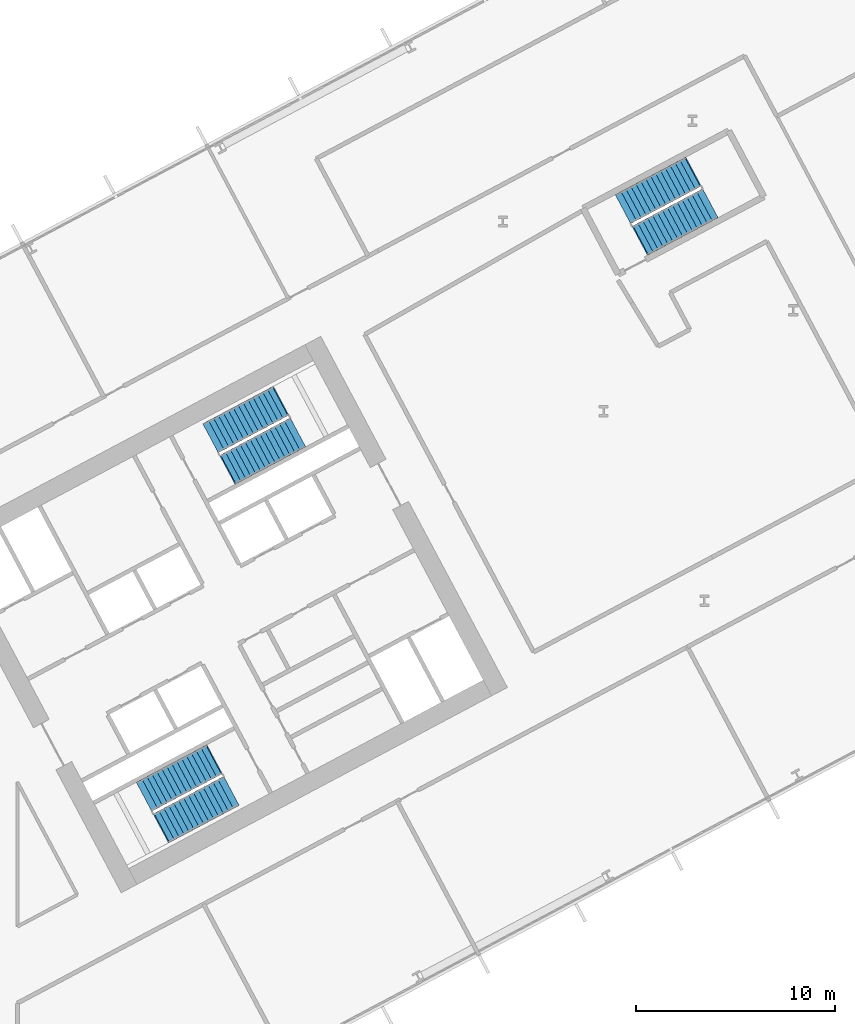
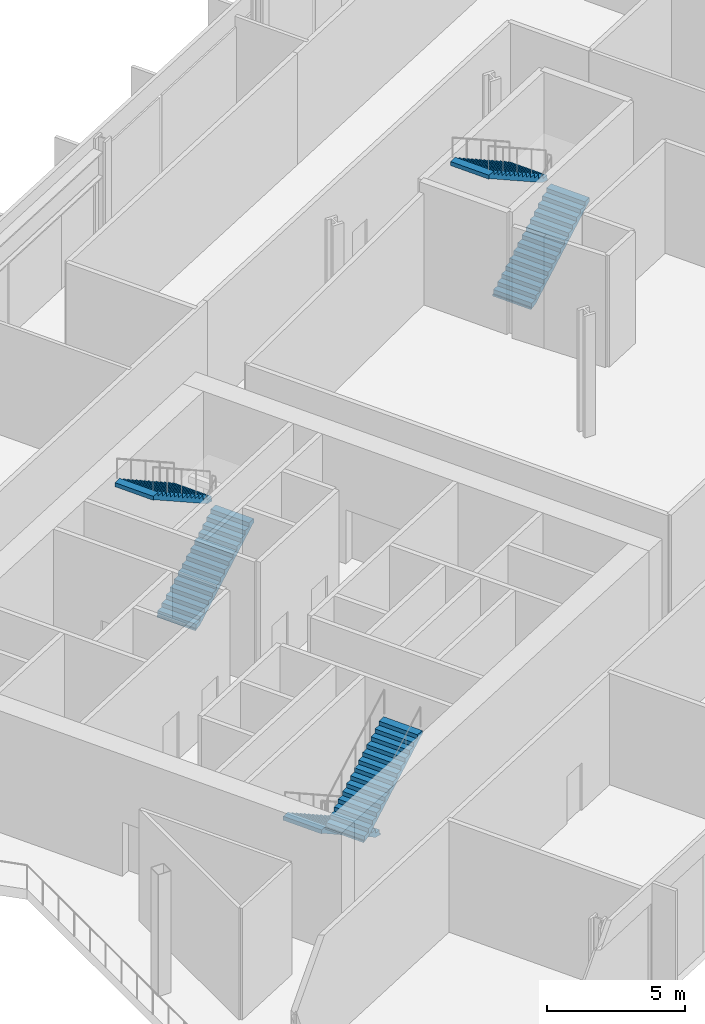
# One storey, part 18 of 30: 6 stair flights, 3 elements without a shape of their own.
"""IFC4 building model written with IfcOpenShell, lengths in metres."""

from ifc_helpers import new_model, si_unit, direction, frame, origin, place, context, subcontext, project, spatial, polyline, outline, extrude, material, type_object, element, aggregate, save


model = new_model("IFC4")

# Units and contexts
model_context = context("Model", 3, precision=1e-05, world=origin(), true_north=direction((0.0, 1.0)))
body_context = subcontext(model_context, "Body", "Model", "MODEL_VIEW")
ifc_project = project(units=[si_unit("LENGTHUNIT", "METRE"), si_unit("AREAUNIT", "SQUARE_METRE"), si_unit("VOLUMEUNIT", "CUBIC_METRE"), si_unit("PLANEANGLEUNIT", "RADIAN"), si_unit("MASSUNIT", "GRAM", prefix="KILO")], contexts=[model_context])

# Site, building, storey
site_placement = place(None, origin())
site = spatial("IfcSite", under=ifc_project, at=site_placement, CompositionType="ELEMENT")
building_placement = place(site_placement, origin())
building = spatial("IfcBuilding", under=site, at=building_placement, Name="Cormorant Relay Tower", CompositionType="ELEMENT")
storey_placement = place(building_placement, frame((0.0, 0.0, 55.39990234375)))
storey = spatial("IfcBuildingStorey", under=building, at=storey_placement, Name="L10", CompositionType="ELEMENT", Elevation=55.39990234375)

# Stair, stair flights
ifc_material_1 = material(Name="Concrete 40 MPa", Category="concrete")
stair_type = type_object("IfcStairType", Name="Exit stair 1500", PredefinedType="HALF_TURN_STAIR", material=ifc_material_1)
stair_1_placement = place(storey_placement, origin())
stair_1 = element("IfcStair", 1, at=stair_1_placement, inside=storey, type_object=stair_type, Name="L10 Stair", PredefinedType="HALF_TURN_STAIR")
ifc_material_2 = material(Name="Concrete 40 MPa", Category="concrete")
stair_flight_type = type_object("IfcStairFlightType", Name="Exit stair flight 1650", PredefinedType="STRAIGHT", material=ifc_material_2)
stair_flight_1_placement = place(storey_placement, frame((23.474365234375, 5.374755859375, 0.0), z_axis=(0.0, 0.0, 1.0), x_axis=(-0.882947592859, -0.469471562786, 0.0)))
stair_flight_1 = element("IfcStairFlight", 2, at=stair_flight_1_placement, type_object=stair_flight_type, Name="B1 flight 1", NumberOfRisers=15, NumberOfTreads=14, PredefinedType="STRAIGHT", RiserHeight=0.18, TreadLength=0.28, context=body_context, shape_type="SweptSolid", body=[
    extrude(outline(polyline([(-0.050048828125, -0.080078125), (-0.050048828125, 0.0), (0.0, 0.0), (0.0, 0.179931640625), (0.280029296875, 0.179931640625), (0.280029296875, 0.360107421875), (0.56005859375, 0.360107421875), (0.56005859375, 0.5400390625), (0.840087890625, 0.5400390625), (0.840087890625, 0.719970703125), (1.1201171875, 0.719970703125), (1.1201171875, 0.89990234375), (1.39990234375, 0.89990234375), (1.39990234375, 1.080078125), (1.679931640625, 1.080078125), (1.679931640625, 1.260009765625), (1.9599609375, 1.260009765625), (1.9599609375, 1.43994140625), (2.239990234375, 1.43994140625), (2.239990234375, 1.6201171875), (2.52001953125, 1.6201171875), (2.52001953125, 1.800048828125), (2.800048828125, 1.800048828125), (2.800048828125, 1.97998046875), (3.080078125, 1.97998046875), (3.080078125, 2.159912109375), (3.360107421875, 2.159912109375), (3.360107421875, 2.340087890625), (3.639892578125, 2.340087890625), (3.639892578125, 2.52001953125), (3.919921875, 2.52001953125), (3.969970703125, 2.52001953125), (3.969970703125, 2.341796875), (3.919921875, 2.341796875), (0.277099609375, 0.0), (-0.050048828125, -0.080078125)])), frame((0.0, 0.824951171875, 0.0), z_axis=(0.0, -1.0, 0.0), x_axis=(1.0, 0.0, 0.0)), (0.0, 0.0, 1.0), 1.64990234375),
])
stair_flight_2_placement = place(storey_placement, frame((20.8583984375, 1.945068359375, 2.7001953125), z_axis=(0.0, 0.0, 1.0), x_axis=(0.882947592859, 0.469471562786, 0.0)))
stair_flight_2 = element("IfcStairFlight", 3, at=stair_flight_2_placement, type_object=stair_flight_type, Name="B1 flight 2", NumberOfRisers=15, NumberOfTreads=14, PredefinedType="STRAIGHT", RiserHeight=0.18, TreadLength=0.28, context=body_context, shape_type="SweptSolid", body=[
    extrude(outline(polyline([(-0.050048828125, -0.080078125), (-0.050048828125, 0.0), (0.0, 0.0), (0.0, 0.179931640625), (0.280029296875, 0.179931640625), (0.280029296875, 0.360107421875), (0.56005859375, 0.360107421875), (0.56005859375, 0.5400390625), (0.840087890625, 0.5400390625), (0.840087890625, 0.719970703125), (1.1201171875, 0.719970703125), (1.1201171875, 0.89990234375), (1.39990234375, 0.89990234375), (1.39990234375, 1.080078125), (1.679931640625, 1.080078125), (1.679931640625, 1.260009765625), (1.9599609375, 1.260009765625), (1.9599609375, 1.43994140625), (2.239990234375, 1.43994140625), (2.239990234375, 1.6201171875), (2.52001953125, 1.6201171875), (2.52001953125, 1.800048828125), (2.800048828125, 1.800048828125), (2.800048828125, 1.97998046875), (3.080078125, 1.97998046875), (3.080078125, 2.159912109375), (3.360107421875, 2.159912109375), (3.360107421875, 2.340087890625), (3.639892578125, 2.340087890625), (3.639892578125, 2.52001953125), (3.919921875, 2.52001953125), (3.969970703125, 2.52001953125), (3.969970703125, 2.341796875), (3.919921875, 2.341796875), (0.277099609375, 0.0), (-0.050048828125, -0.080078125)])), frame((0.0, 0.824951171875, 0.0), z_axis=(0.0, -1.0, 0.0), x_axis=(1.0, 0.0, 0.0)), (0.0, 0.0, 1.0), 1.64990234375),
])
aggregate(stair_1, [stair_flight_1, stair_flight_2])

stair_2_placement = place(storey_placement, origin())
stair_2 = element("IfcStair", 4, at=stair_2_placement, inside=storey, type_object=stair_type, Name="L10 Stair", PredefinedType="HALF_TURN_STAIR")
stair_flight_3_placement = place(storey_placement, frame((24.20458984375, 19.976806640625, 0.0), z_axis=(0.0, 0.0, 1.0), x_axis=(0.882947592859, 0.469471562786, 0.0)))
stair_flight_3 = element("IfcStairFlight", 5, at=stair_flight_3_placement, type_object=stair_flight_type, Name="B2 flight 1", NumberOfRisers=15, NumberOfTreads=14, PredefinedType="STRAIGHT", RiserHeight=0.18, TreadLength=0.28, context=body_context, shape_type="SweptSolid", body=[
    extrude(outline(polyline([(-0.050048828125, -0.080078125), (-0.050048828125, 0.0), (0.0, 0.0), (0.0, 0.179931640625), (0.280029296875, 0.179931640625), (0.280029296875, 0.360107421875), (0.56005859375, 0.360107421875), (0.56005859375, 0.5400390625), (0.840087890625, 0.5400390625), (0.840087890625, 0.719970703125), (1.1201171875, 0.719970703125), (1.1201171875, 0.89990234375), (1.39990234375, 0.89990234375), (1.39990234375, 1.080078125), (1.679931640625, 1.080078125), (1.679931640625, 1.260009765625), (1.9599609375, 1.260009765625), (1.9599609375, 1.43994140625), (2.239990234375, 1.43994140625), (2.239990234375, 1.6201171875), (2.52001953125, 1.6201171875), (2.52001953125, 1.800048828125), (2.800048828125, 1.800048828125), (2.800048828125, 1.97998046875), (3.080078125, 1.97998046875), (3.080078125, 2.159912109375), (3.360107421875, 2.159912109375), (3.360107421875, 2.340087890625), (3.639892578125, 2.340087890625), (3.639892578125, 2.52001953125), (3.919921875, 2.52001953125), (3.969970703125, 2.52001953125), (3.969970703125, 2.341796875), (3.919921875, 2.341796875), (0.277099609375, 0.0), (-0.050048828125, -0.080078125)])), frame((0.0, 0.824951171875, 0.0), z_axis=(0.0, -1.0, 0.0), x_axis=(1.0, 0.0, 0.0)), (0.0, 0.0, 1.0), 1.64990234375),
])
stair_flight_4_placement = place(storey_placement, frame((26.82080078125, 23.406494140625, 2.7001953125), z_axis=(0.0, 0.0, 1.0), x_axis=(-0.882947592859, -0.469471562786, 0.0)))
stair_flight_4 = element("IfcStairFlight", 6, at=stair_flight_4_placement, type_object=stair_flight_type, Name="B2 flight 2", NumberOfRisers=15, NumberOfTreads=14, PredefinedType="STRAIGHT", RiserHeight=0.18, TreadLength=0.28, context=body_context, shape_type="SweptSolid", body=[
    extrude(outline(polyline([(-0.050048828125, -0.080078125), (-0.050048828125, 0.0), (0.0, 0.0), (0.0, 0.179931640625), (0.280029296875, 0.179931640625), (0.280029296875, 0.360107421875), (0.56005859375, 0.360107421875), (0.56005859375, 0.5400390625), (0.840087890625, 0.5400390625), (0.840087890625, 0.719970703125), (1.1201171875, 0.719970703125), (1.1201171875, 0.89990234375), (1.39990234375, 0.89990234375), (1.39990234375, 1.080078125), (1.679931640625, 1.080078125), (1.679931640625, 1.260009765625), (1.9599609375, 1.260009765625), (1.9599609375, 1.43994140625), (2.239990234375, 1.43994140625), (2.239990234375, 1.6201171875), (2.52001953125, 1.6201171875), (2.52001953125, 1.800048828125), (2.800048828125, 1.800048828125), (2.800048828125, 1.97998046875), (3.080078125, 1.97998046875), (3.080078125, 2.159912109375), (3.360107421875, 2.159912109375), (3.360107421875, 2.340087890625), (3.639892578125, 2.340087890625), (3.639892578125, 2.52001953125), (3.919921875, 2.52001953125), (3.969970703125, 2.52001953125), (3.969970703125, 2.341796875), (3.919921875, 2.341796875), (0.277099609375, 0.0), (-0.050048828125, -0.080078125)])), frame((0.0, 0.824951171875, 0.0), z_axis=(0.0, -1.0, 0.0), x_axis=(1.0, 0.0, 0.0)), (0.0, 0.0, 1.0), 1.64990234375),
])
aggregate(stair_2, [stair_flight_3, stair_flight_4])

stair_3_placement = place(storey_placement, origin())
stair_3 = element("IfcStair", 7, at=stair_3_placement, inside=storey, type_object=stair_type, Name="L10 Stair", PredefinedType="HALF_TURN_STAIR")
stair_flight_5_placement = place(storey_placement, frame((44.947509765625, 31.502197265625, 0.0), z_axis=(0.0, 0.0, 1.0), x_axis=(0.882947502727, 0.4694717323, 0.0)))
stair_flight_5 = element("IfcStairFlight", 8, at=stair_flight_5_placement, type_object=stair_flight_type, Name="RB1 flight 1", NumberOfRisers=15, NumberOfTreads=14, PredefinedType="STRAIGHT", RiserHeight=0.18, TreadLength=0.28, context=body_context, shape_type="SweptSolid", body=[
    extrude(outline(polyline([(-0.050048828125, -0.080078125), (-0.050048828125, 0.0), (0.0, 0.0), (0.0, 0.179931640625), (0.280029296875, 0.179931640625), (0.280029296875, 0.360107421875), (0.56005859375, 0.360107421875), (0.56005859375, 0.5400390625), (0.840087890625, 0.5400390625), (0.840087890625, 0.719970703125), (1.1201171875, 0.719970703125), (1.1201171875, 0.89990234375), (1.39990234375, 0.89990234375), (1.39990234375, 1.080078125), (1.679931640625, 1.080078125), (1.679931640625, 1.260009765625), (1.9599609375, 1.260009765625), (1.9599609375, 1.43994140625), (2.239990234375, 1.43994140625), (2.239990234375, 1.6201171875), (2.52001953125, 1.6201171875), (2.52001953125, 1.800048828125), (2.800048828125, 1.800048828125), (2.800048828125, 1.97998046875), (3.080078125, 1.97998046875), (3.080078125, 2.159912109375), (3.360107421875, 2.159912109375), (3.360107421875, 2.340087890625), (3.639892578125, 2.340087890625), (3.639892578125, 2.52001953125), (3.919921875, 2.52001953125), (3.969970703125, 2.52001953125), (3.969970703125, 2.341796875), (3.919921875, 2.341796875), (0.277099609375, 0.0), (-0.050048828125, -0.080078125)])), frame((0.0, 0.824951171875, 0.0), z_axis=(0.0, -1.0, 0.0), x_axis=(1.0, 0.0, 0.0)), (0.0, 0.0, 1.0), 1.64990234375),
])
stair_flight_6_placement = place(storey_placement, frame((47.563720703125, 34.931640625, 2.7001953125), z_axis=(0.0, 0.0, 1.0), x_axis=(-0.882947502727, -0.4694717323, 0.0)))
stair_flight_6 = element("IfcStairFlight", 9, at=stair_flight_6_placement, type_object=stair_flight_type, Name="RB1 flight 2", NumberOfRisers=15, NumberOfTreads=14, PredefinedType="STRAIGHT", RiserHeight=0.18, TreadLength=0.28, context=body_context, shape_type="SweptSolid", body=[
    extrude(outline(polyline([(-0.050048828125, -0.080078125), (-0.050048828125, 0.0), (0.0, 0.0), (0.0, 0.179931640625), (0.280029296875, 0.179931640625), (0.280029296875, 0.360107421875), (0.56005859375, 0.360107421875), (0.56005859375, 0.5400390625), (0.840087890625, 0.5400390625), (0.840087890625, 0.719970703125), (1.1201171875, 0.719970703125), (1.1201171875, 0.89990234375), (1.39990234375, 0.89990234375), (1.39990234375, 1.080078125), (1.679931640625, 1.080078125), (1.679931640625, 1.260009765625), (1.9599609375, 1.260009765625), (1.9599609375, 1.43994140625), (2.239990234375, 1.43994140625), (2.239990234375, 1.6201171875), (2.52001953125, 1.6201171875), (2.52001953125, 1.800048828125), (2.800048828125, 1.800048828125), (2.800048828125, 1.97998046875), (3.080078125, 1.97998046875), (3.080078125, 2.159912109375), (3.360107421875, 2.159912109375), (3.360107421875, 2.340087890625), (3.639892578125, 2.340087890625), (3.639892578125, 2.52001953125), (3.919921875, 2.52001953125), (3.969970703125, 2.52001953125), (3.969970703125, 2.341796875), (3.919921875, 2.341796875), (0.277099609375, 0.0), (-0.050048828125, -0.080078125)])), frame((0.0, 0.824951171875, 0.0), z_axis=(0.0, -1.0, 0.0), x_axis=(1.0, 0.0, 0.0)), (0.0, 0.0, 1.0), 1.64990234375),
])
aggregate(stair_3, [stair_flight_5, stair_flight_6])

save(model, "model.ifc")
